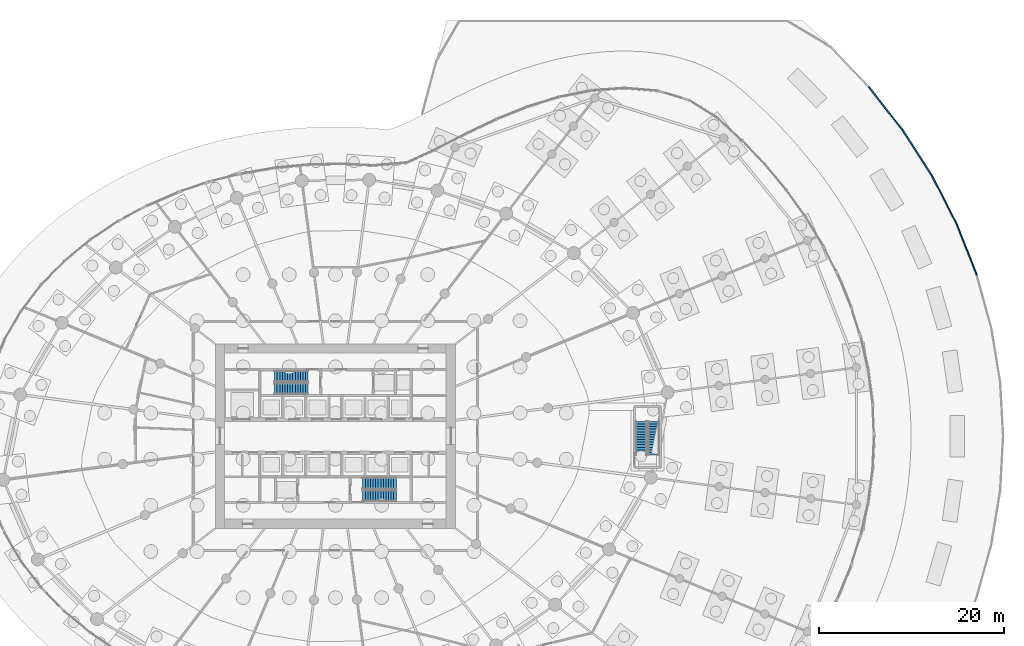
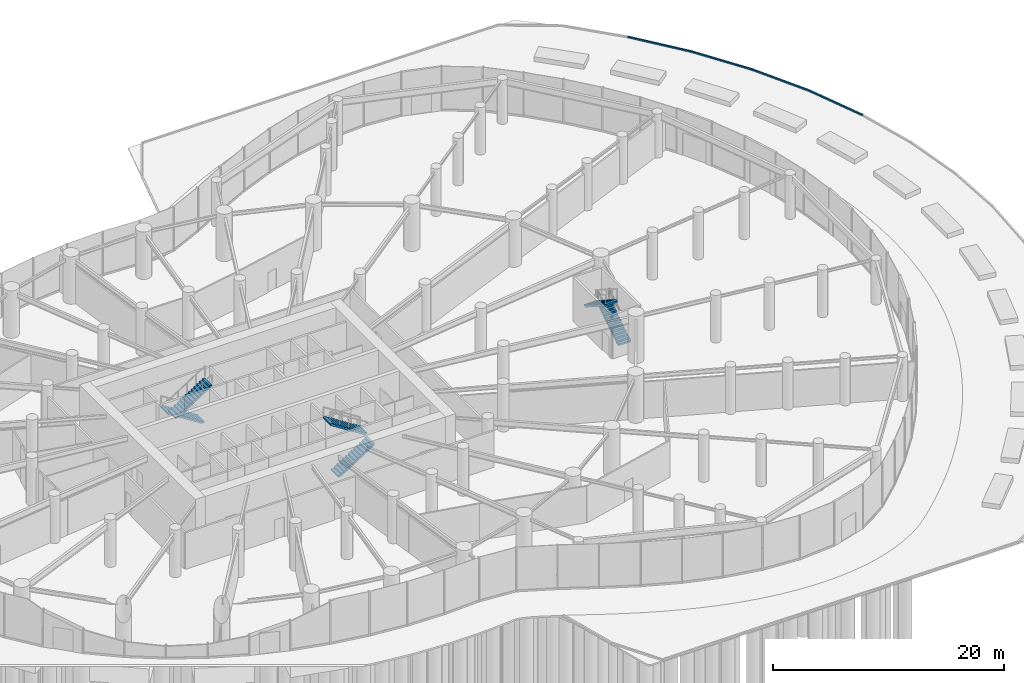
# One storey, part 24 of 28: 6 stair flights, 4 walls, 3 elements without a shape of their own.
"""IFC4 building model written with IfcOpenShell, lengths in metres."""

from ifc_helpers import new_model, si_unit, direction, frame, frame_2d, origin, place, context, subcontext, project, spatial, line, indexed_curve, rectangle, outline, extrude, material, layer, layer_set, type_object, element, aggregate, save


model = new_model("IFC4")

# Units and contexts
model_context = context("Model", 3, precision=1e-05, world=origin(), true_north=direction((0.0, 1.0)))
body_context = subcontext(model_context, "Body", "Model", "MODEL_VIEW")
ifc_project = project(units=[si_unit("LENGTHUNIT", "METRE"), si_unit("AREAUNIT", "SQUARE_METRE"), si_unit("VOLUMEUNIT", "CUBIC_METRE"), si_unit("PLANEANGLEUNIT", "RADIAN"), si_unit("MASSUNIT", "GRAM", prefix="KILO")], contexts=[model_context])

# Site, building, storey
site_placement = place(None, origin())
site = spatial("IfcSite", under=ifc_project, at=site_placement, CompositionType="ELEMENT")
building_placement = place(site_placement, origin())
building = spatial("IfcBuilding", under=site, at=building_placement, Name="Spindrift Exchange Tower", CompositionType="ELEMENT")
storey_placement = place(building_placement, origin())
storey = spatial("IfcBuildingStorey", under=building, at=storey_placement, Name="L00", CompositionType="ELEMENT", Elevation=0.0)

# Walls
ifc_material_1 = material(Name="Concrete 32 MPa precast kerb", Category="concrete")
ifc_layer = layer(ifc_material_1, 0.14990234375)
ifc_layer_set = layer_set([ifc_layer], Name="GARDEN KERB 150X150")
wall_type = type_object("IfcWallType", Name="GARDEN KERB 150X150", PredefinedType="STANDARD", material=ifc_layer_set)
for number, where, z_axis, x_axis, name in (
    (1, (109.77099609375, 85.827392578125, 0.0), (0.0, 0.0, 1.0), (0.617022652235, -0.786945389864, 0.0), "L00 Garden Kerb 11"),
    (2, (113.419921875, 81.173583984375, 0.0), (0.0, 0.0, 1.0), (0.541435541123, -0.840742264198, 0.0), "L00 Garden Kerb 12"),
):
    element("IfcWall", number, at=place(storey_placement, frame(where, z_axis=z_axis, x_axis=x_axis)), inside=storey, type_object=wall_type, Name=name, PredefinedType="STANDARD", context=body_context, shape_type="SweptSolid", body=[
        extrude(rectangle(XDim=5.913818359375, YDim=0.14990234375, at=frame_2d((2.95703125, 0.0))), origin(), (0.0, 0.0, 1.0), 0.14990234375),
    ])
wall_1_placement = place(storey_placement, frame((116.621826171875, 76.20166015625, 0.0), z_axis=(0.0, 0.0, 1.0), x_axis=(0.456404652494, -0.889772326599, 0.0)))
element("IfcWall", 3, at=wall_1_placement, inside=storey, type_object=wall_type, Name="L00 Garden Kerb 13", PredefinedType="STANDARD", context=body_context, shape_type="SweptSolid", body=[
    extrude(rectangle(XDim=5.91357421875, YDim=0.14990234375, at=frame_2d((2.956787109375, 0.0))), origin(), (0.0, 0.0, 1.0), 0.14990234375),
])
wall_2_placement = place(storey_placement, frame((119.32080078125, 70.93994140625, 0.0), z_axis=(0.0, 0.0, 1.0), x_axis=(0.364724714124, -0.931115397202, 0.0)))
element("IfcWall", 4, at=wall_2_placement, inside=storey, type_object=wall_type, Name="L00 Garden Kerb 14", PredefinedType="STANDARD", context=body_context, shape_type="SweptSolid", body=[
    extrude(rectangle(XDim=5.91259765625, YDim=0.14990234375, at=frame_2d((2.956298828125, 0.0))), origin(), (0.0, 0.0, 1.0), 0.14990234375),
])

# Stair, stair flights
ifc_material_2 = material(Name="Concrete 50 MPa", Category="concrete")
stair_type = type_object("IfcStairType", Name="ST-1250-R179", PredefinedType="HALF_TURN_STAIR", material=ifc_material_2)
stair_1_placement = place(storey_placement, origin())
stair_1 = element("IfcStair", 5, at=stair_1_placement, inside=storey, type_object=stair_type, Name="L00 Exit stair ST1", PredefinedType="HALF_TURN_STAIR")
stair_flight_type = type_object("IfcStairFlightType", Name="STF-1250-R179", PredefinedType="STRAIGHT", material=ifc_material_2)
stair_flight_1_placement = place(storey_placement, frame((49.050048828125, 54.47509765625, 0.0), z_axis=(0.0, 0.0, 1.0), x_axis=(-1.0, 0.0, 0.0)))
stair_flight_1 = element("IfcStairFlight", 6, at=stair_flight_1_placement, type_object=stair_flight_type, Name="ST1 flight 1", NumberOfRisers=14, NumberOfTreads=13, PredefinedType="STRAIGHT", RiserHeight=0.178571429, TreadLength=0.28, context=body_context, shape_type="SweptSolid", body=[
    extrude(outline(indexed_curve([(0.0, 0.0), (0.0, 0.1787109375), (0.2802734375, 0.1787109375), (0.2802734375, 0.357421875), (0.5595703125, 0.357421875), (0.5595703125, 0.5361328125), (0.83984375, 0.5361328125), (0.83984375, 0.7138671875), (1.1201171875, 0.7138671875), (1.1201171875, 0.892578125), (1.400390625, 0.892578125), (1.400390625, 1.0712890625), (1.6796875, 1.0712890625), (1.6796875, 1.25), (1.9599609375, 1.25), (1.9599609375, 1.4287109375), (2.240234375, 1.4287109375), (2.240234375, 1.607421875), (2.51953125, 1.607421875), (2.51953125, 1.7861328125), (2.7998046875, 1.7861328125), (2.7998046875, 1.9638671875), (3.080078125, 1.9638671875), (3.080078125, 2.142578125), (3.3603515625, 2.142578125), (3.3603515625, 2.3212890625), (3.6396484375, 2.3212890625), (3.6396484375, 2.5), (3.6396484375, 2.1435546875), (0.2783203125, 0.0)], segments=[line(1, 2, 3, 4, 5, 6, 7, 8, 9, 10, 11, 12, 13, 14, 15, 16, 17, 18, 19, 20, 21, 22, 23, 24, 25, 26, 27, 28, 29, 30, 1)], self_intersect=False)), frame((0.0, 0.625, 0.0), z_axis=(0.0, -1.0, 0.0), x_axis=(1.0, 0.0, 0.0)), (0.0, 0.0, 1.0), 1.25),
])
stair_flight_2_placement = place(storey_placement, frame((45.409912109375, 53.125, 2.5), z_axis=(0.0, 0.0, 1.0), x_axis=(1.0, 0.0, 0.0)))
stair_flight_2 = element("IfcStairFlight", 7, at=stair_flight_2_placement, type_object=stair_flight_type, Name="ST1 flight 2", NumberOfRisers=14, NumberOfTreads=13, PredefinedType="STRAIGHT", RiserHeight=0.178571429, TreadLength=0.28, context=body_context, shape_type="SweptSolid", body=[
    extrude(outline(indexed_curve([(0.0, 0.0), (0.0, 0.1787109375), (0.2802734375, 0.1787109375), (0.2802734375, 0.357421875), (0.5595703125, 0.357421875), (0.5595703125, 0.5361328125), (0.83984375, 0.5361328125), (0.83984375, 0.7138671875), (1.1201171875, 0.7138671875), (1.1201171875, 0.892578125), (1.400390625, 0.892578125), (1.400390625, 1.0712890625), (1.6796875, 1.0712890625), (1.6796875, 1.25), (1.9599609375, 1.25), (1.9599609375, 1.4287109375), (2.240234375, 1.4287109375), (2.240234375, 1.607421875), (2.51953125, 1.607421875), (2.51953125, 1.7861328125), (2.7998046875, 1.7861328125), (2.7998046875, 1.9638671875), (3.080078125, 1.9638671875), (3.080078125, 2.142578125), (3.3603515625, 2.142578125), (3.3603515625, 2.3212890625), (3.6396484375, 2.3212890625), (3.6396484375, 2.5), (3.6396484375, 2.1435546875), (0.2783203125, 0.0)], segments=[line(1, 2, 3, 4, 5, 6, 7, 8, 9, 10, 11, 12, 13, 14, 15, 16, 17, 18, 19, 20, 21, 22, 23, 24, 25, 26, 27, 28, 29, 30, 1)], self_intersect=False)), frame((0.0, 0.625, 0.0), z_axis=(0.0, -1.0, 0.0), x_axis=(1.0, 0.0, 0.0)), (0.0, 0.0, 1.0), 1.25),
])
aggregate(stair_1, [stair_flight_1, stair_flight_2])

stair_2_placement = place(storey_placement, origin())
stair_2 = element("IfcStair", 8, at=stair_2_placement, inside=storey, type_object=stair_type, Name="L00 Exit stair ST2", PredefinedType="HALF_TURN_STAIR")
stair_flight_3_placement = place(storey_placement, frame((54.949951171875, 41.52490234375, 0.0), z_axis=(0.0, 0.0, 1.0), x_axis=(1.0, 0.0, 0.0)))
stair_flight_3 = element("IfcStairFlight", 9, at=stair_flight_3_placement, type_object=stair_flight_type, Name="ST2 flight 1", NumberOfRisers=14, NumberOfTreads=13, PredefinedType="STRAIGHT", RiserHeight=0.178571429, TreadLength=0.28, context=body_context, shape_type="SweptSolid", body=[
    extrude(outline(indexed_curve([(0.0, 0.0), (0.0, 0.1787109375), (0.2802734375, 0.1787109375), (0.2802734375, 0.357421875), (0.5595703125, 0.357421875), (0.5595703125, 0.5361328125), (0.83984375, 0.5361328125), (0.83984375, 0.7138671875), (1.1201171875, 0.7138671875), (1.1201171875, 0.892578125), (1.400390625, 0.892578125), (1.400390625, 1.0712890625), (1.6796875, 1.0712890625), (1.6796875, 1.25), (1.9599609375, 1.25), (1.9599609375, 1.4287109375), (2.240234375, 1.4287109375), (2.240234375, 1.607421875), (2.51953125, 1.607421875), (2.51953125, 1.7861328125), (2.7998046875, 1.7861328125), (2.7998046875, 1.9638671875), (3.080078125, 1.9638671875), (3.080078125, 2.142578125), (3.3603515625, 2.142578125), (3.3603515625, 2.3212890625), (3.6396484375, 2.3212890625), (3.6396484375, 2.5), (3.6396484375, 2.1435546875), (0.2783203125, 0.0)], segments=[line(1, 2, 3, 4, 5, 6, 7, 8, 9, 10, 11, 12, 13, 14, 15, 16, 17, 18, 19, 20, 21, 22, 23, 24, 25, 26, 27, 28, 29, 30, 1)], self_intersect=False)), frame((0.0, 0.625, 0.0), z_axis=(0.0, -1.0, 0.0), x_axis=(1.0, 0.0, 0.0)), (0.0, 0.0, 1.0), 1.25),
])
stair_flight_4_placement = place(storey_placement, frame((58.590087890625, 42.875, 2.5), z_axis=(0.0, 0.0, 1.0), x_axis=(-1.0, 0.0, 0.0)))
stair_flight_4 = element("IfcStairFlight", 10, at=stair_flight_4_placement, type_object=stair_flight_type, Name="ST2 flight 2", NumberOfRisers=14, NumberOfTreads=13, PredefinedType="STRAIGHT", RiserHeight=0.178571429, TreadLength=0.28, context=body_context, shape_type="SweptSolid", body=[
    extrude(outline(indexed_curve([(0.0, 0.0), (0.0, 0.1787109375), (0.2802734375, 0.1787109375), (0.2802734375, 0.357421875), (0.5595703125, 0.357421875), (0.5595703125, 0.5361328125), (0.83984375, 0.5361328125), (0.83984375, 0.7138671875), (1.1201171875, 0.7138671875), (1.1201171875, 0.892578125), (1.400390625, 0.892578125), (1.400390625, 1.0712890625), (1.6796875, 1.0712890625), (1.6796875, 1.25), (1.9599609375, 1.25), (1.9599609375, 1.4287109375), (2.240234375, 1.4287109375), (2.240234375, 1.607421875), (2.51953125, 1.607421875), (2.51953125, 1.7861328125), (2.7998046875, 1.7861328125), (2.7998046875, 1.9638671875), (3.080078125, 1.9638671875), (3.080078125, 2.142578125), (3.3603515625, 2.142578125), (3.3603515625, 2.3212890625), (3.6396484375, 2.3212890625), (3.6396484375, 2.5), (3.6396484375, 2.1435546875), (0.2783203125, 0.0)], segments=[line(1, 2, 3, 4, 5, 6, 7, 8, 9, 10, 11, 12, 13, 14, 15, 16, 17, 18, 19, 20, 21, 22, 23, 24, 25, 26, 27, 28, 29, 30, 1)], self_intersect=False)), frame((0.0, 0.625, 0.0), z_axis=(0.0, -1.0, 0.0), x_axis=(1.0, 0.0, 0.0)), (0.0, 0.0, 1.0), 1.25),
])
aggregate(stair_2, [stair_flight_3, stair_flight_4])

stair_3_placement = place(storey_placement, origin())
stair_3 = element("IfcStair", 11, at=stair_3_placement, inside=storey, type_object=stair_type, Name="L00 Exit stair ST5", PredefinedType="HALF_TURN_STAIR")
stair_flight_5_placement = place(storey_placement, frame((86.47509765625, 45.949951171875, 0.0), z_axis=(0.0, 0.0, 1.0), x_axis=(0.0, 1.0, 0.0)))
stair_flight_5 = element("IfcStairFlight", 12, at=stair_flight_5_placement, type_object=stair_flight_type, Name="ST5 flight 1", NumberOfRisers=14, NumberOfTreads=13, PredefinedType="STRAIGHT", RiserHeight=0.178571429, TreadLength=0.28, context=body_context, shape_type="SweptSolid", body=[
    extrude(outline(indexed_curve([(0.0, 0.0), (0.0, 0.1787109375), (0.2802734375, 0.1787109375), (0.2802734375, 0.357421875), (0.5595703125, 0.357421875), (0.5595703125, 0.5361328125), (0.83984375, 0.5361328125), (0.83984375, 0.7138671875), (1.1201171875, 0.7138671875), (1.1201171875, 0.892578125), (1.400390625, 0.892578125), (1.400390625, 1.0712890625), (1.6796875, 1.0712890625), (1.6796875, 1.25), (1.9599609375, 1.25), (1.9599609375, 1.4287109375), (2.240234375, 1.4287109375), (2.240234375, 1.607421875), (2.51953125, 1.607421875), (2.51953125, 1.7861328125), (2.7998046875, 1.7861328125), (2.7998046875, 1.9638671875), (3.080078125, 1.9638671875), (3.080078125, 2.142578125), (3.3603515625, 2.142578125), (3.3603515625, 2.3212890625), (3.6396484375, 2.3212890625), (3.6396484375, 2.5), (3.6396484375, 2.1435546875), (0.2783203125, 0.0)], segments=[line(1, 2, 3, 4, 5, 6, 7, 8, 9, 10, 11, 12, 13, 14, 15, 16, 17, 18, 19, 20, 21, 22, 23, 24, 25, 26, 27, 28, 29, 30, 1)], self_intersect=False)), frame((0.0, 0.625, 0.0), z_axis=(0.0, -1.0, 0.0), x_axis=(1.0, 0.0, 0.0)), (0.0, 0.0, 1.0), 1.25),
])
stair_flight_6_placement = place(storey_placement, frame((85.125, 49.590087890625, 2.5), z_axis=(0.0, 0.0, 1.0), x_axis=(0.0, -1.0, 0.0)))
stair_flight_6 = element("IfcStairFlight", 13, at=stair_flight_6_placement, type_object=stair_flight_type, Name="ST5 flight 2", NumberOfRisers=14, NumberOfTreads=13, PredefinedType="STRAIGHT", RiserHeight=0.178571429, TreadLength=0.28, context=body_context, shape_type="SweptSolid", body=[
    extrude(outline(indexed_curve([(0.0, 0.0), (0.0, 0.1787109375), (0.2802734375, 0.1787109375), (0.2802734375, 0.357421875), (0.5595703125, 0.357421875), (0.5595703125, 0.5361328125), (0.83984375, 0.5361328125), (0.83984375, 0.7138671875), (1.1201171875, 0.7138671875), (1.1201171875, 0.892578125), (1.400390625, 0.892578125), (1.400390625, 1.0712890625), (1.6796875, 1.0712890625), (1.6796875, 1.25), (1.9599609375, 1.25), (1.9599609375, 1.4287109375), (2.240234375, 1.4287109375), (2.240234375, 1.607421875), (2.51953125, 1.607421875), (2.51953125, 1.7861328125), (2.7998046875, 1.7861328125), (2.7998046875, 1.9638671875), (3.080078125, 1.9638671875), (3.080078125, 2.142578125), (3.3603515625, 2.142578125), (3.3603515625, 2.3212890625), (3.6396484375, 2.3212890625), (3.6396484375, 2.5), (3.6396484375, 2.1435546875), (0.2783203125, 0.0)], segments=[line(1, 2, 3, 4, 5, 6, 7, 8, 9, 10, 11, 12, 13, 14, 15, 16, 17, 18, 19, 20, 21, 22, 23, 24, 25, 26, 27, 28, 29, 30, 1)], self_intersect=False)), frame((0.0, 0.625, 0.0), z_axis=(0.0, -1.0, 0.0), x_axis=(1.0, 0.0, 0.0)), (0.0, 0.0, 1.0), 1.25),
])
aggregate(stair_3, [stair_flight_5, stair_flight_6])

save(model, "model.ifc")
